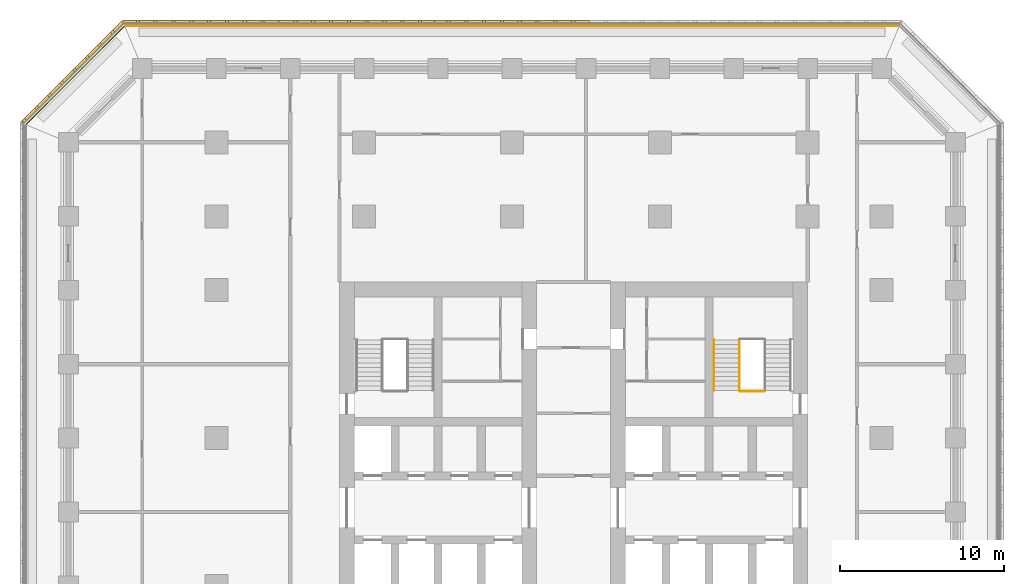
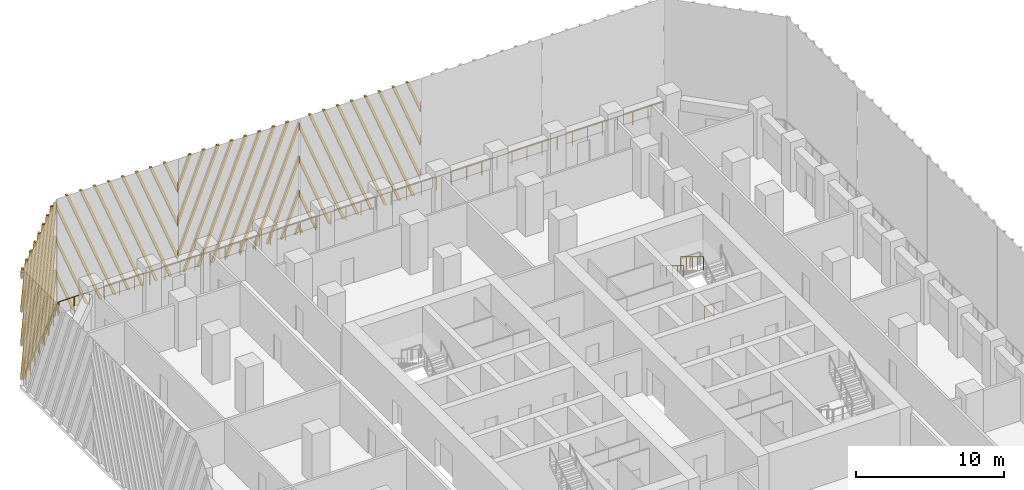
# One storey, part 14 of 17: 5 railings, 4 shading devices.
"""IFC4 building model written with IfcOpenShell, lengths in metres."""

from ifc_helpers import new_model, si_unit, direction, frame, origin, origin_2d, place, context, subcontext, project, spatial, polyline, circle, outline, extrude, source, transform, mapped, material, type_object, element, save


model = new_model("IFC4")

# Units and contexts
model_context = context("Model", 3, precision=1e-05, world=origin(), true_north=direction((0.0, 1.0)))
body_context = subcontext(model_context, "Body", "Model", "MODEL_VIEW")
ifc_project = project(units=[si_unit("LENGTHUNIT", "METRE"), si_unit("AREAUNIT", "SQUARE_METRE"), si_unit("VOLUMEUNIT", "CUBIC_METRE"), si_unit("PLANEANGLEUNIT", "RADIAN"), si_unit("MASSUNIT", "GRAM", prefix="KILO")], contexts=[model_context])

# Site, building, storey
site_placement = place(None, origin())
site = spatial("IfcSite", under=ifc_project, at=site_placement, CompositionType="ELEMENT")
building_placement = place(site_placement, origin())
building = spatial("IfcBuilding", under=site, at=building_placement, Name="Corbel Stack Research Tower", CompositionType="ELEMENT")
storey_placement = place(building_placement, frame((0.0, 0.0, 141.300048828125)))
storey = spatial("IfcBuildingStorey", under=building, at=storey_placement, Name="L32", CompositionType="ELEMENT", Elevation=141.300048828125)

# Railings
ifc_material_1 = material(Name="Steel S355", Category="steel")
railing_type_1 = type_object("IfcRailingType", Name="Stair guard 1100", PredefinedType="GUARDRAIL", material=ifc_material_1)
railing_1_placement = place(storey_placement, frame((13.85009765625, 14.97998046875, 2.220703125)))
element("IfcRailing", 1, at=railing_1_placement, inside=storey, type_object=railing_type_1, Name="L32 ST-E2 stair guard 4", PredefinedType="GUARDRAIL", context=body_context, shape_type="SweptSolid", body=[
    extrude(circle(Radius=0.02392578125, at=origin_2d()), frame((0.0, 0.0, 1.076171875), z_axis=(0.0, -0.853666305674, 0.52082035152), x_axis=(1.0, 0.0, 0.0)), (0.0, 0.0, 1.0), 3.608154296875),
    extrude(circle(Radius=0.02099609375, at=origin_2d()), origin(), (0.0, 0.0, 1.0), 1.052001953125),
    extrude(circle(Radius=0.02099609375, at=origin_2d()), frame((0.0, -0.77001953125, 0.4697265625)), (0.0, 0.0, 1.0), 1.052001953125),
    extrude(circle(Radius=0.02099609375, at=origin_2d()), frame((0.0, -1.5400390625, 0.939453125)), (0.0, 0.0, 1.0), 1.052001953125),
    extrude(circle(Radius=0.02099609375, at=origin_2d()), frame((0.0, -2.31005859375, 1.409423828125)), (0.0, 0.0, 1.0), 1.052001953125),
    extrude(circle(Radius=0.02099609375, at=origin_2d()), frame((0.0, -3.080078125, 1.879150390625)), (0.0, 0.0, 1.0), 1.052001953125),
])
railing_2_placement = place(storey_placement, frame((15.35009765625, 11.85009765625, 0.0)))
element("IfcRailing", 2, at=railing_2_placement, inside=storey, type_object=railing_type_1, Name="L32 ST-E2 stair guard 5", PredefinedType="GUARDRAIL", context=body_context, shape_type="SweptSolid", body=[
    extrude(circle(Radius=0.02392578125, at=origin_2d()), frame((0.0, 0.0, 1.076171875), z_axis=(-1.0, 0.0, 0.0), x_axis=(0.0, -1.0, 0.0)), (0.0, 0.0, 1.0), 1.4501953125),
    extrude(circle(Radius=0.02099609375, at=origin_2d()), origin(), (0.0, 0.0, 1.0), 1.052001953125),
    extrude(circle(Radius=0.02099609375, at=origin_2d()), frame((-0.72509765625, 0.0, 0.0)), (0.0, 0.0, 1.0), 1.052001953125),
    extrude(circle(Radius=0.02099609375, at=origin_2d()), frame((-1.4501953125, 0.0, 0.0)), (0.0, 0.0, 1.0), 1.052001953125),
])
ifc_material_2 = material(Name="Steel S355", Category="steel")
railing_type_2 = type_object("IfcRailingType", Name="Stair handrail 900", PredefinedType="HANDRAIL", material=ifc_material_2)
railing_3_placement = place(storey_placement, frame((12.300048828125, 14.97998046875, 2.220703125)))
element("IfcRailing", 3, at=railing_3_placement, inside=storey, type_object=railing_type_2, Name="L32 ST-E2 stair handrail 2", PredefinedType="HANDRAIL", context=body_context, shape_type="SweptSolid", body=[
    extrude(circle(Radius=0.02392578125, at=origin_2d()), frame((0.0, 0.0, 0.8759765625), z_axis=(0.0, -0.853666305674, 0.52082035152), x_axis=(1.0, 0.0, 0.0)), (0.0, 0.0, 1.0), 3.608154296875),
    extrude(circle(Radius=0.02099609375, at=origin_2d()), origin(), (0.0, 0.0, 1.0), 0.851806640625),
    extrude(circle(Radius=0.02099609375, at=origin_2d()), frame((0.0, -0.77001953125, 0.4697265625)), (0.0, 0.0, 1.0), 0.851806640625),
    extrude(circle(Radius=0.02099609375, at=origin_2d()), frame((0.0, -1.5400390625, 0.939453125)), (0.0, 0.0, 1.0), 0.851806640625),
    extrude(circle(Radius=0.02099609375, at=origin_2d()), frame((0.0, -2.31005859375, 1.409423828125)), (0.0, 0.0, 1.0), 0.851806640625),
    extrude(circle(Radius=0.02099609375, at=origin_2d()), frame((0.0, -3.080078125, 1.879150390625)), (0.0, 0.0, 1.0), 0.851806640625),
])
ifc_material_3 = material(Name="Powder-coated steel guard", Category="steel")
railing_type_3 = type_object("IfcRailingType", Name="Steel and glass guard 1100", PredefinedType="GUARDRAIL", material=ifc_material_3)
railing_4_placement = place(storey_placement, frame((23.50537109375, 34.10009765625, 0.0)))
element("IfcRailing", 4, at=railing_4_placement, inside=storey, type_object=railing_type_3, Name="Loggia guard L32 N", PredefinedType="GUARDRAIL", context=body_context, shape_type="SweptSolid", body=[
    extrude(circle(Radius=0.02392578125, at=origin_2d()), frame((0.0, 0.0, 1.076171875), z_axis=(-1.0, 0.0, 0.0), x_axis=(0.0, -1.0, 0.0)), (0.0, 0.0, 1.0), 47.0107421875),
    extrude(circle(Radius=0.02099609375, at=origin_2d()), origin(), (0.0, 0.0, 1.0), 1.052001953125),
    extrude(circle(Radius=0.02099609375, at=origin_2d()), frame((-1.17529296875, 0.0, 0.0)), (0.0, 0.0, 1.0), 1.052001953125),
    extrude(circle(Radius=0.02099609375, at=origin_2d()), frame((-2.3505859375, 0.0, 0.0)), (0.0, 0.0, 1.0), 1.052001953125),
    extrude(circle(Radius=0.02099609375, at=origin_2d()), frame((-3.52587890625, 0.0, 0.0)), (0.0, 0.0, 1.0), 1.052001953125),
    extrude(circle(Radius=0.02099609375, at=origin_2d()), frame((-4.701171875, 0.0, 0.0)), (0.0, 0.0, 1.0), 1.052001953125),
    extrude(circle(Radius=0.02099609375, at=origin_2d()), frame((-5.87646484375, 0.0, 0.0)), (0.0, 0.0, 1.0), 1.052001953125),
    extrude(circle(Radius=0.02099609375, at=origin_2d()), frame((-7.051513671875, 0.0, 0.0)), (0.0, 0.0, 1.0), 1.052001953125),
    extrude(circle(Radius=0.02099609375, at=origin_2d()), frame((-8.226806640625, 0.0, 0.0)), (0.0, 0.0, 1.0), 1.052001953125),
    extrude(circle(Radius=0.02099609375, at=origin_2d()), frame((-9.402099609375, 0.0, 0.0)), (0.0, 0.0, 1.0), 1.052001953125),
    extrude(circle(Radius=0.02099609375, at=origin_2d()), frame((-10.577392578125, 0.0, 0.0)), (0.0, 0.0, 1.0), 1.052001953125),
    extrude(circle(Radius=0.02099609375, at=origin_2d()), frame((-11.752685546875, 0.0, 0.0)), (0.0, 0.0, 1.0), 1.052001953125),
    extrude(circle(Radius=0.02099609375, at=origin_2d()), frame((-12.927978515625, 0.0, 0.0)), (0.0, 0.0, 1.0), 1.052001953125),
    extrude(circle(Radius=0.02099609375, at=origin_2d()), frame((-14.103271484375, 0.0, 0.0)), (0.0, 0.0, 1.0), 1.052001953125),
    extrude(circle(Radius=0.02099609375, at=origin_2d()), frame((-15.278564453125, 0.0, 0.0)), (0.0, 0.0, 1.0), 1.052001953125),
    extrude(circle(Radius=0.02099609375, at=origin_2d()), frame((-16.453857421875, 0.0, 0.0)), (0.0, 0.0, 1.0), 1.052001953125),
    extrude(circle(Radius=0.02099609375, at=origin_2d()), frame((-17.62890625, 0.0, 0.0)), (0.0, 0.0, 1.0), 1.052001953125),
    extrude(circle(Radius=0.02099609375, at=origin_2d()), frame((-18.80419921875, 0.0, 0.0)), (0.0, 0.0, 1.0), 1.052001953125),
    extrude(circle(Radius=0.02099609375, at=origin_2d()), frame((-19.9794921875, 0.0, 0.0)), (0.0, 0.0, 1.0), 1.052001953125),
    extrude(circle(Radius=0.02099609375, at=origin_2d()), frame((-21.15478515625, 0.0, 0.0)), (0.0, 0.0, 1.0), 1.052001953125),
    extrude(circle(Radius=0.02099609375, at=origin_2d()), frame((-22.330078125, 0.0, 0.0)), (0.0, 0.0, 1.0), 1.052001953125),
    extrude(circle(Radius=0.02099609375, at=origin_2d()), frame((-23.50537109375, 0.0, 0.0)), (0.0, 0.0, 1.0), 1.052001953125),
    extrude(circle(Radius=0.02099609375, at=origin_2d()), frame((-24.6806640625, 0.0, 0.0)), (0.0, 0.0, 1.0), 1.052001953125),
    extrude(circle(Radius=0.02099609375, at=origin_2d()), frame((-25.85595703125, 0.0, 0.0)), (0.0, 0.0, 1.0), 1.052001953125),
    extrude(circle(Radius=0.02099609375, at=origin_2d()), frame((-27.03125, 0.0, 0.0)), (0.0, 0.0, 1.0), 1.052001953125),
    extrude(circle(Radius=0.02099609375, at=origin_2d()), frame((-28.20654296875, 0.0, 0.0)), (0.0, 0.0, 1.0), 1.052001953125),
    extrude(circle(Radius=0.02099609375, at=origin_2d()), frame((-29.3818359375, 0.0, 0.0)), (0.0, 0.0, 1.0), 1.052001953125),
    extrude(circle(Radius=0.02099609375, at=origin_2d()), frame((-30.556884765625, 0.0, 0.0)), (0.0, 0.0, 1.0), 1.052001953125),
    extrude(circle(Radius=0.02099609375, at=origin_2d()), frame((-31.732177734375, 0.0, 0.0)), (0.0, 0.0, 1.0), 1.052001953125),
    extrude(circle(Radius=0.02099609375, at=origin_2d()), frame((-32.907470703125, 0.0, 0.0)), (0.0, 0.0, 1.0), 1.052001953125),
    extrude(circle(Radius=0.02099609375, at=origin_2d()), frame((-34.082763671875, 0.0, 0.0)), (0.0, 0.0, 1.0), 1.052001953125),
    extrude(circle(Radius=0.02099609375, at=origin_2d()), frame((-35.258056640625, 0.0, 0.0)), (0.0, 0.0, 1.0), 1.052001953125),
    extrude(circle(Radius=0.02099609375, at=origin_2d()), frame((-36.433349609375, 0.0, 0.0)), (0.0, 0.0, 1.0), 1.052001953125),
    extrude(circle(Radius=0.02099609375, at=origin_2d()), frame((-37.608642578125, 0.0, 0.0)), (0.0, 0.0, 1.0), 1.052001953125),
    extrude(circle(Radius=0.02099609375, at=origin_2d()), frame((-38.783935546875, 0.0, 0.0)), (0.0, 0.0, 1.0), 1.052001953125),
    extrude(circle(Radius=0.02099609375, at=origin_2d()), frame((-39.959228515625, 0.0, 0.0)), (0.0, 0.0, 1.0), 1.052001953125),
    extrude(circle(Radius=0.02099609375, at=origin_2d()), frame((-41.13427734375, 0.0, 0.0)), (0.0, 0.0, 1.0), 1.052001953125),
    extrude(circle(Radius=0.02099609375, at=origin_2d()), frame((-42.3095703125, 0.0, 0.0)), (0.0, 0.0, 1.0), 1.052001953125),
    extrude(circle(Radius=0.02099609375, at=origin_2d()), frame((-43.48486328125, 0.0, 0.0)), (0.0, 0.0, 1.0), 1.052001953125),
    extrude(circle(Radius=0.02099609375, at=origin_2d()), frame((-44.66015625, 0.0, 0.0)), (0.0, 0.0, 1.0), 1.052001953125),
    extrude(circle(Radius=0.02099609375, at=origin_2d()), frame((-45.83544921875, 0.0, 0.0)), (0.0, 0.0, 1.0), 1.052001953125),
    extrude(circle(Radius=0.02099609375, at=origin_2d()), frame((-47.0107421875, 0.0, 0.0)), (0.0, 0.0, 1.0), 1.052001953125),
])
railing_5_placement = place(storey_placement, frame((-23.627685546875, 34.04931640625, 0.0)))
element("IfcRailing", 5, at=railing_5_placement, inside=storey, type_object=railing_type_3, Name="Loggia guard L32 NW", PredefinedType="GUARDRAIL", context=body_context, shape_type="SweptSolid", body=[
    extrude(circle(Radius=0.02392578125, at=origin_2d()), frame((0.0, 0.0, 1.076171875), z_axis=(-0.707106781187, -0.707106781187, 0.0), x_axis=(0.707106781187, -0.707106781187, 0.0)), (0.0, 0.0, 1.0), 8.37451171875),
    extrude(circle(Radius=0.02099609375, at=origin_2d()), origin(), (0.0, 0.0, 1.0), 1.052001953125),
    extrude(circle(Radius=0.02099609375, at=origin_2d()), frame((-0.845947265625, -0.845947265625, 0.0)), (0.0, 0.0, 1.0), 1.052001953125),
    extrude(circle(Radius=0.02099609375, at=origin_2d()), frame((-1.69189453125, -1.69189453125, 0.0)), (0.0, 0.0, 1.0), 1.052001953125),
    extrude(circle(Radius=0.02099609375, at=origin_2d()), frame((-2.537841796875, -2.537841796875, 0.0)), (0.0, 0.0, 1.0), 1.052001953125),
    extrude(circle(Radius=0.02099609375, at=origin_2d()), frame((-3.3837890625, -3.3837890625, 0.0)), (0.0, 0.0, 1.0), 1.052001953125),
    extrude(circle(Radius=0.02099609375, at=origin_2d()), frame((-4.229736328125, -4.229736328125, 0.0)), (0.0, 0.0, 1.0), 1.052001953125),
    extrude(circle(Radius=0.02099609375, at=origin_2d()), frame((-5.07568359375, -5.07568359375, 0.0)), (0.0, 0.0, 1.0), 1.052001953125),
    extrude(circle(Radius=0.02099609375, at=origin_2d()), frame((-5.921630859375, -5.921630859375, 0.0)), (0.0, 0.0, 1.0), 1.052001953125),
])

# Shading devices
ifc_material_4 = material(Name="Precast terracotta", Category="masonry")
shading_device_type = type_object("IfcShadingDeviceType", Name="Terracotta screen panel", PredefinedType="USERDEFINED", material=ifc_material_4)
shared_shape_1 = source(origin(), body_context, "Body", "SweptSolid", [
    extrude(outline(polyline([(1.093505859375, 9.5), (0.903564453125, 9.5), (0.0, 7.1865234375), (0.0, 6.699951171875), (1.093505859375, 9.5)])), frame((0.0, 0.0, 0.0), z_axis=(0.0, -1.0, 0.0), x_axis=(1.0, 0.0, 0.0)), (0.0, 0.0, 1.0), 0.179931640625),
    extrude(outline(polyline([(2.17822265625, 9.5), (1.98828125, 9.5), (0.0, 4.4091796875), (0.0, 3.922607421875), (2.17822265625, 9.5)])), frame((0.0, 0.0, 0.0), z_axis=(0.0, -1.0, 0.0), x_axis=(1.0, 0.0, 0.0)), (0.0, 0.0, 1.0), 0.179931640625),
    extrude(outline(polyline([(3.262939453125, 9.5), (3.072998046875, 9.5), (0.0, 1.6318359375), (0.0, 1.1455078125), (3.262939453125, 9.5)])), frame((0.0, 0.0, 0.0), z_axis=(0.0, -1.0, 0.0), x_axis=(1.0, 0.0, 0.0)), (0.0, 0.0, 1.0), 0.179931640625),
    extrude(outline(polyline([(0.63720703125, 0.0), (4.347412109375, 9.5), (4.157470703125, 9.5), (0.447265625, 0.0), (0.63720703125, 0.0)])), frame((0.0, 0.0, 0.0), z_axis=(0.0, -1.0, 0.0), x_axis=(1.0, 0.0, 0.0)), (0.0, 0.0, 1.0), 0.179931640625),
    extrude(outline(polyline([(1.721923828125, 0.0), (5.43212890625, 9.5), (5.2421875, 9.5), (1.531982421875, 0.0), (1.721923828125, 0.0)])), frame((0.0, 0.0, 0.0), z_axis=(0.0, -1.0, 0.0), x_axis=(1.0, 0.0, 0.0)), (0.0, 0.0, 1.0), 0.179931640625),
    extrude(outline(polyline([(2.806640625, 0.0), (6.516845703125, 9.5), (6.326904296875, 9.5), (2.61669921875, 0.0), (2.806640625, 0.0)])), frame((0.0, 0.0, 0.0), z_axis=(0.0, -1.0, 0.0), x_axis=(1.0, 0.0, 0.0)), (0.0, 0.0, 1.0), 0.179931640625),
    extrude(outline(polyline([(3.891357421875, 0.0), (7.6015625, 9.5), (7.41162109375, 9.5), (3.701416015625, 0.0), (3.891357421875, 0.0)])), frame((0.0, 0.0, 0.0), z_axis=(0.0, -1.0, 0.0), x_axis=(1.0, 0.0, 0.0)), (0.0, 0.0, 1.0), 0.179931640625),
    extrude(outline(polyline([(4.97607421875, 0.0), (8.686279296875, 9.5), (8.49609375, 9.5), (4.785888671875, 0.0), (4.97607421875, 0.0)])), frame((0.0, 0.0, 0.0), z_axis=(0.0, -1.0, 0.0), x_axis=(1.0, 0.0, 0.0)), (0.0, 0.0, 1.0), 0.179931640625),
    extrude(outline(polyline([(6.060791015625, 0.0), (9.45556640625, 8.69287109375), (9.45556640625, 9.179443359375), (5.87060546875, 0.0), (6.060791015625, 0.0)])), frame((0.0, 0.0, 0.0), z_axis=(0.0, -1.0, 0.0), x_axis=(1.0, 0.0, 0.0)), (0.0, 0.0, 1.0), 0.179931640625),
    extrude(outline(polyline([(7.145263671875, 0.0), (9.45556640625, 5.91552734375), (9.45556640625, 6.402099609375), (6.955322265625, 0.0), (7.145263671875, 0.0)])), frame((0.0, 0.0, 0.0), z_axis=(0.0, -1.0, 0.0), x_axis=(1.0, 0.0, 0.0)), (0.0, 0.0, 1.0), 0.179931640625),
    extrude(outline(polyline([(8.22998046875, 0.0), (9.45556640625, 3.13818359375), (9.45556640625, 3.624755859375), (8.0400390625, 0.0), (8.22998046875, 0.0)])), frame((0.0, 0.0, 0.0), z_axis=(0.0, -1.0, 0.0), x_axis=(1.0, 0.0, 0.0)), (0.0, 0.0, 1.0), 0.179931640625),
    extrude(outline(polyline([(9.314697265625, 0.0), (9.45556640625, 0.361083984375), (9.45556640625, 0.847412109375), (9.124755859375, 0.0), (9.314697265625, 0.0)])), frame((0.0, 0.0, 0.0), z_axis=(0.0, -1.0, 0.0), x_axis=(1.0, 0.0, 0.0)), (0.0, 0.0, 1.0), 0.179931640625),
])
for number, where, z_axis, x_axis, name in (
    (6, (4.727783203125, 34.25, 0.0), (0.0, 0.0, 1.0), (-1.0, 0.0, 0.0), "Terracotta screen L32 N3"),
    (7, (-14.18359375, 34.25, 0.0), (0.0, 0.0, 1.0), (-1.0, 0.0, 0.0), "Terracotta screen L32 N5"),
):
    element("IfcShadingDevice", number, at=place(storey_placement, frame(where, z_axis=z_axis, x_axis=x_axis)), inside=storey, type_object=shading_device_type, Name=name, ObjectType="SCREEN", PredefinedType="USERDEFINED", context=body_context, shape_type="MappedRepresentation", body=[
        mapped(shared_shape_1, transform((0.0, 0.0, 0.0))),
    ])
shared_shape_2 = source(origin(), body_context, "Body", "SweptSolid", [
    extrude(outline(polyline([(0.3310546875, 0.0), (0.0, 0.847412109375), (0.0, 0.361083984375), (0.14111328125, 0.0), (0.3310546875, 0.0)])), frame((0.0, 0.0, 0.0), z_axis=(0.0, -1.0, 0.0), x_axis=(1.0, 0.0, 0.0)), (0.0, 0.0, 1.0), 0.179931640625),
    extrude(outline(polyline([(1.41552734375, 0.0), (0.0, 3.624755859375), (0.0, 3.13818359375), (1.2255859375, 0.0), (1.41552734375, 0.0)])), frame((0.0, 0.0, 0.0), z_axis=(0.0, -1.0, 0.0), x_axis=(1.0, 0.0, 0.0)), (0.0, 0.0, 1.0), 0.179931640625),
    extrude(outline(polyline([(2.500244140625, 0.0), (0.0, 6.402099609375), (0.0, 5.91552734375), (2.310302734375, 0.0), (2.500244140625, 0.0)])), frame((0.0, 0.0, 0.0), z_axis=(0.0, -1.0, 0.0), x_axis=(1.0, 0.0, 0.0)), (0.0, 0.0, 1.0), 0.179931640625),
    extrude(outline(polyline([(3.5849609375, 0.0), (0.0, 9.179443359375), (0.0, 8.69287109375), (3.39501953125, 0.0), (3.5849609375, 0.0)])), frame((0.0, 0.0, 0.0), z_axis=(0.0, -1.0, 0.0), x_axis=(1.0, 0.0, 0.0)), (0.0, 0.0, 1.0), 0.179931640625),
    extrude(outline(polyline([(4.669677734375, 0.0), (0.95947265625, 9.5), (0.769287109375, 9.5), (4.4794921875, 0.0), (4.669677734375, 0.0)])), frame((0.0, 0.0, 0.0), z_axis=(0.0, -1.0, 0.0), x_axis=(1.0, 0.0, 0.0)), (0.0, 0.0, 1.0), 0.179931640625),
    extrude(outline(polyline([(5.75439453125, 0.0), (2.044189453125, 9.5), (1.85400390625, 9.5), (5.564208984375, 0.0), (5.75439453125, 0.0)])), frame((0.0, 0.0, 0.0), z_axis=(0.0, -1.0, 0.0), x_axis=(1.0, 0.0, 0.0)), (0.0, 0.0, 1.0), 0.179931640625),
    extrude(outline(polyline([(6.839111328125, 0.0), (3.12890625, 9.5), (2.938720703125, 9.5), (6.64892578125, 0.0), (6.839111328125, 0.0)])), frame((0.0, 0.0, 0.0), z_axis=(0.0, -1.0, 0.0), x_axis=(1.0, 0.0, 0.0)), (0.0, 0.0, 1.0), 0.179931640625),
    extrude(outline(polyline([(7.923583984375, 0.0), (4.21337890625, 9.5), (4.0234375, 9.5), (7.733642578125, 0.0), (7.923583984375, 0.0)])), frame((0.0, 0.0, 0.0), z_axis=(0.0, -1.0, 0.0), x_axis=(1.0, 0.0, 0.0)), (0.0, 0.0, 1.0), 0.179931640625),
    extrude(outline(polyline([(9.00830078125, 0.0), (5.298095703125, 9.5), (5.108154296875, 9.5), (8.818359375, 0.0), (9.00830078125, 0.0)])), frame((0.0, 0.0, 0.0), z_axis=(0.0, -1.0, 0.0), x_axis=(1.0, 0.0, 0.0)), (0.0, 0.0, 1.0), 0.179931640625),
    extrude(outline(polyline([(6.3828125, 9.5), (6.19287109375, 9.5), (9.45556640625, 1.1455078125), (9.45556640625, 1.6318359375), (6.3828125, 9.5)])), frame((0.0, 0.0, 0.0), z_axis=(0.0, -1.0, 0.0), x_axis=(1.0, 0.0, 0.0)), (0.0, 0.0, 1.0), 0.179931640625),
    extrude(outline(polyline([(7.46728515625, 9.5), (7.27734375, 9.5), (9.45556640625, 3.922607421875), (9.45556640625, 4.4091796875), (7.46728515625, 9.5)])), frame((0.0, 0.0, 0.0), z_axis=(0.0, -1.0, 0.0), x_axis=(1.0, 0.0, 0.0)), (0.0, 0.0, 1.0), 0.179931640625),
    extrude(outline(polyline([(8.552001953125, 9.5), (8.362060546875, 9.5), (9.45556640625, 6.699951171875), (9.45556640625, 7.1865234375), (8.552001953125, 9.5)])), frame((0.0, 0.0, 0.0), z_axis=(0.0, -1.0, 0.0), x_axis=(1.0, 0.0, 0.0)), (0.0, 0.0, 1.0), 0.179931640625),
])
shading_device_1_placement = place(storey_placement, frame((-4.727783203125, 34.25, 0.0), z_axis=(0.0, 0.0, 1.0), x_axis=(-1.0, 0.0, 0.0)))
element("IfcShadingDevice", 8, at=shading_device_1_placement, inside=storey, type_object=shading_device_type, Name="Terracotta screen L32 N4", ObjectType="SCREEN", PredefinedType="USERDEFINED", context=body_context, shape_type="MappedRepresentation", body=[
    mapped(shared_shape_2, transform((0.0, 0.0, 0.0))),
])
shared_shape_3 = source(origin(), body_context, "Body", "SweptSolid", [
    extrude(outline(polyline([(0.3310546875, 0.0), (0.0, 0.847412109375), (0.0, 0.361083984375), (0.14111328125, 0.0), (0.3310546875, 0.0)])), frame((0.0, 0.0, 0.0), z_axis=(0.0, -1.0, 0.0), x_axis=(1.0, 0.0, 0.0)), (0.0, 0.0, 1.0), 0.179931640625),
    extrude(outline(polyline([(1.41552734375, 0.0), (0.0, 3.624755859375), (0.0, 3.13818359375), (1.2255859375, 0.0), (1.41552734375, 0.0)])), frame((0.0, 0.0, 0.0), z_axis=(0.0, -1.0, 0.0), x_axis=(1.0, 0.0, 0.0)), (0.0, 0.0, 1.0), 0.179931640625),
    extrude(outline(polyline([(2.500244140625, 0.0), (0.0, 6.402099609375), (0.0, 5.91552734375), (2.310302734375, 0.0), (2.500244140625, 0.0)])), frame((0.0, 0.0, 0.0), z_axis=(0.0, -1.0, 0.0), x_axis=(1.0, 0.0, 0.0)), (0.0, 0.0, 1.0), 0.179931640625),
    extrude(outline(polyline([(3.5849609375, 0.0), (0.0, 9.179443359375), (0.0, 8.69287109375), (3.39501953125, 0.0), (3.5849609375, 0.0)])), frame((0.0, 0.0, 0.0), z_axis=(0.0, -1.0, 0.0), x_axis=(1.0, 0.0, 0.0)), (0.0, 0.0, 1.0), 0.179931640625),
    extrude(outline(polyline([(4.669677734375, 0.0), (0.95947265625, 9.5), (0.769287109375, 9.5), (4.4794921875, 0.0), (4.669677734375, 0.0)])), frame((0.0, 0.0, 0.0), z_axis=(0.0, -1.0, 0.0), x_axis=(1.0, 0.0, 0.0)), (0.0, 0.0, 1.0), 0.179931640625),
    extrude(outline(polyline([(5.75439453125, 0.0), (2.044189453125, 9.5), (1.85400390625, 9.5), (5.564208984375, 0.0), (5.75439453125, 0.0)])), frame((0.0, 0.0, 0.0), z_axis=(0.0, -1.0, 0.0), x_axis=(1.0, 0.0, 0.0)), (0.0, 0.0, 1.0), 0.179931640625),
    extrude(outline(polyline([(6.839111328125, 0.0), (3.12890625, 9.5), (2.938720703125, 9.5), (6.64892578125, 0.0), (6.839111328125, 0.0)])), frame((0.0, 0.0, 0.0), z_axis=(0.0, -1.0, 0.0), x_axis=(1.0, 0.0, 0.0)), (0.0, 0.0, 1.0), 0.179931640625),
    extrude(outline(polyline([(7.923583984375, 0.0), (4.21337890625, 9.5), (4.0234375, 9.5), (7.733642578125, 0.0), (7.923583984375, 0.0)])), frame((0.0, 0.0, 0.0), z_axis=(0.0, -1.0, 0.0), x_axis=(1.0, 0.0, 0.0)), (0.0, 0.0, 1.0), 0.179931640625),
    extrude(outline(polyline([(5.298095703125, 9.5), (5.108154296875, 9.5), (8.64208984375, 0.451171875), (8.64208984375, 0.9375), (5.298095703125, 9.5)])), frame((0.0, 0.0, 0.0), z_axis=(0.0, -1.0, 0.0), x_axis=(1.0, 0.0, 0.0)), (0.0, 0.0, 1.0), 0.179931640625),
    extrude(outline(polyline([(6.3828125, 9.5), (6.19287109375, 9.5), (8.64208984375, 3.228515625), (8.64208984375, 3.71484375), (6.3828125, 9.5)])), frame((0.0, 0.0, 0.0), z_axis=(0.0, -1.0, 0.0), x_axis=(1.0, 0.0, 0.0)), (0.0, 0.0, 1.0), 0.179931640625),
    extrude(outline(polyline([(7.46728515625, 9.5), (7.27734375, 9.5), (8.64208984375, 6.005615234375), (8.64208984375, 6.4921875), (7.46728515625, 9.5)])), frame((0.0, 0.0, 0.0), z_axis=(0.0, -1.0, 0.0), x_axis=(1.0, 0.0, 0.0)), (0.0, 0.0, 1.0), 0.179931640625),
    extrude(outline(polyline([(8.552001953125, 9.5), (8.362060546875, 9.5), (8.64208984375, 8.782958984375), (8.64208984375, 9.26953125), (8.552001953125, 9.5)])), frame((0.0, 0.0, 0.0), z_axis=(0.0, -1.0, 0.0), x_axis=(1.0, 0.0, 0.0)), (0.0, 0.0, 1.0), 0.179931640625),
])
shading_device_2_placement = place(storey_placement, frame((-23.63916015625, 34.25, 0.0), z_axis=(0.0, 0.0, 1.0), x_axis=(-0.707106781187, -0.707106781187, 0.0)))
element("IfcShadingDevice", 9, at=shading_device_2_placement, inside=storey, type_object=shading_device_type, Name="Terracotta screen L32 NW1", ObjectType="SCREEN", PredefinedType="USERDEFINED", context=body_context, shape_type="MappedRepresentation", body=[
    mapped(shared_shape_3, transform((0.0, 0.0, 0.0))),
])

save(model, "model.ifc")
